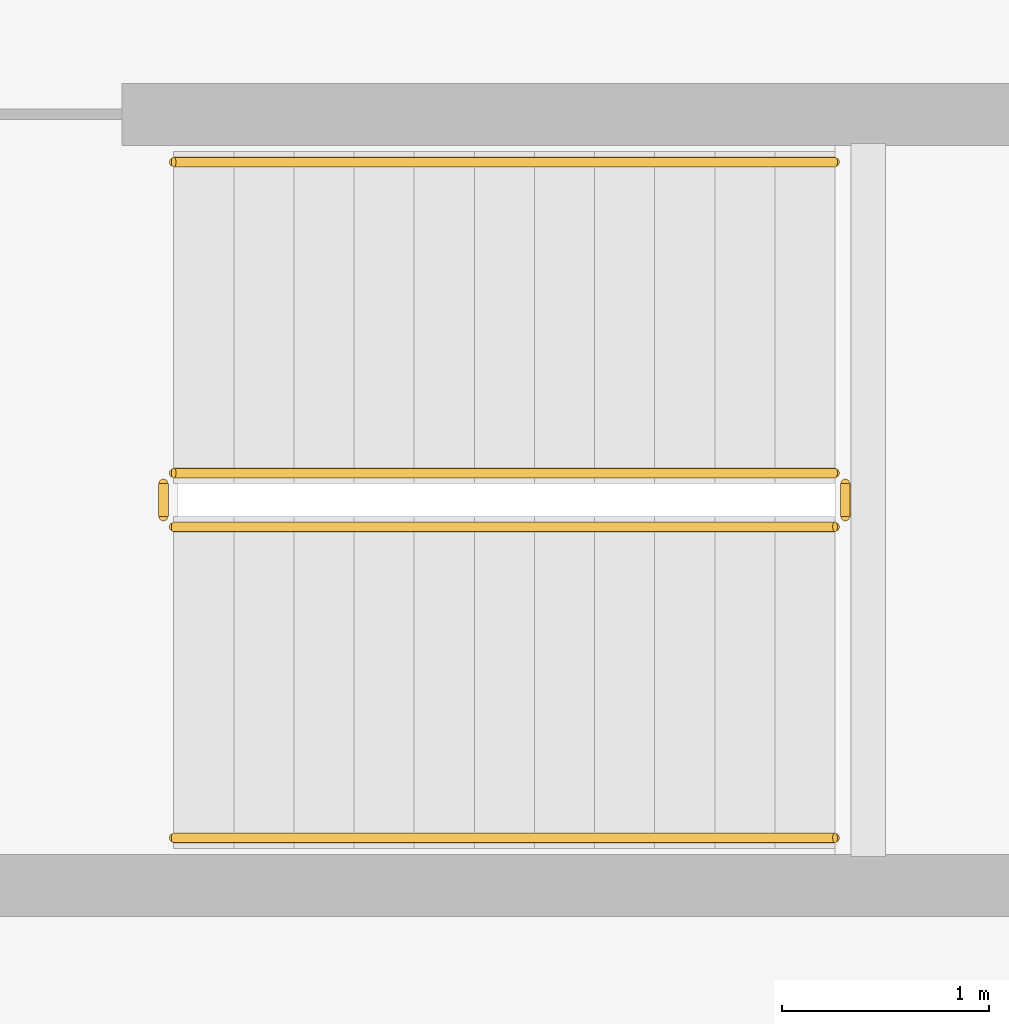
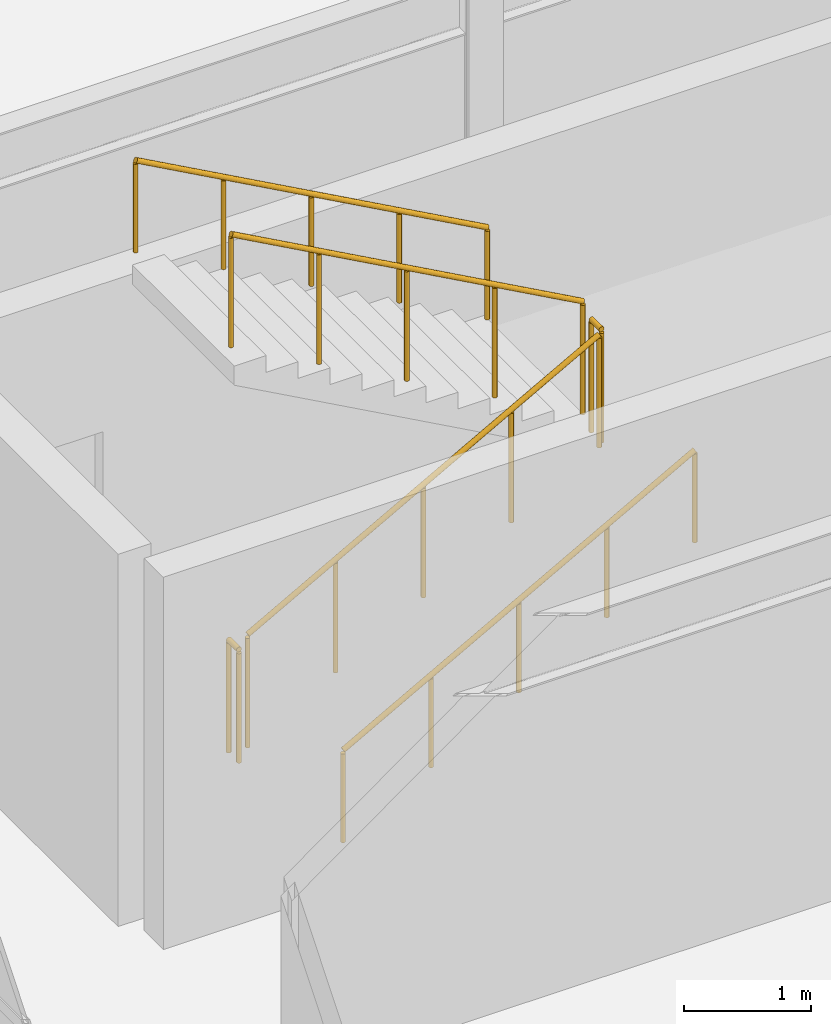
# One storey, part 95 of 96: 6 railings.
"""IFC4 building model written with IfcOpenShell, lengths in metres."""

from ifc_helpers import new_model, si_unit, direction, frame, origin, origin_2d, place, context, subcontext, project, spatial, circle, extrude, material, type_object, element, save


model = new_model("IFC4")

# Units and contexts
model_context = context("Model", 3, precision=1e-05, world=origin(), true_north=direction((0.0, 1.0)))
body_context = subcontext(model_context, "Body", "Model", "MODEL_VIEW")
ifc_project = project(units=[si_unit("LENGTHUNIT", "METRE"), si_unit("AREAUNIT", "SQUARE_METRE"), si_unit("VOLUMEUNIT", "CUBIC_METRE"), si_unit("PLANEANGLEUNIT", "RADIAN"), si_unit("MASSUNIT", "GRAM", prefix="KILO")], contexts=[model_context])

# Site, building, storey
site_placement = place(None, origin())
site = spatial("IfcSite", under=ifc_project, at=site_placement, CompositionType="ELEMENT")
building_placement = place(site_placement, origin())
building = spatial("IfcBuilding", under=site, at=building_placement, Name="Kranzveld Transit Interchange", CompositionType="ELEMENT")
storey_placement = place(building_placement, frame((0.0, 0.0, 9.52001953125)))
storey = spatial("IfcBuildingStorey", under=building, at=storey_placement, Name="L02", CompositionType="ELEMENT", Elevation=9.52001953125)

# Railings
ifc_material_1 = material(Name="Steel S355JR", Category="steel")
railing_type_1 = type_object("IfcRailingType", Name="Stair & Ramp Handrail Steel 900", PredefinedType="HANDRAIL", material=ifc_material_1)
railing_1_placement = place(storey_placement, frame((155.14990234375, 74.3701171875, 0.159912109375)))
element("IfcRailing", 1, at=railing_1_placement, inside=storey, type_object=railing_type_1, Name="L02 ST-V4B stair handrail 1", PredefinedType="HANDRAIL", context=body_context, shape_type="SweptSolid", body=[
    extrude(circle(Radius=0.02392578125, at=origin_2d()), frame((0.0, 0.0, 0.8759765625), z_axis=(0.875588434347, 0.0, 0.483057857443), x_axis=(0.0, 1.0, 0.0)), (0.0, 0.0, 1.0), 3.6435546875),
    extrude(circle(Radius=0.02099609375, at=origin_2d()), origin(), (0.0, 0.0, 1.0), 0.849853515625),
    extrude(circle(Radius=0.02099609375, at=origin_2d()), frame((0.797607421875, 0.0, 0.43994140625)), (0.0, 0.0, 1.0), 0.849853515625),
    extrude(circle(Radius=0.02099609375, at=origin_2d()), frame((1.59521484375, 0.0, 0.8798828125)), (0.0, 0.0, 1.0), 0.849853515625),
    extrude(circle(Radius=0.02099609375, at=origin_2d()), frame((2.392578125, 0.0, 1.320068359375)), (0.0, 0.0, 1.0), 0.849853515625),
    extrude(circle(Radius=0.02099609375, at=origin_2d()), frame((3.190185546875, 0.0, 1.760009765625)), (0.0, 0.0, 1.0), 0.849853515625),
])
railing_2_placement = place(storey_placement, frame((158.340087890625, 77.6298828125, 2.080078125)))
element("IfcRailing", 2, at=railing_2_placement, inside=storey, type_object=railing_type_1, Name="L02 ST-V4B stair handrail 2", PredefinedType="HANDRAIL", context=body_context, shape_type="SweptSolid", body=[
    extrude(circle(Radius=0.02392578125, at=origin_2d()), frame((0.0, 0.0, 0.8759765625), z_axis=(-0.875588434347, 0.0, 0.483057857443), x_axis=(0.0, -1.0, 0.0)), (0.0, 0.0, 1.0), 3.6435546875),
    extrude(circle(Radius=0.02099609375, at=origin_2d()), origin(), (0.0, 0.0, 1.0), 0.849853515625),
    extrude(circle(Radius=0.02099609375, at=origin_2d()), frame((-0.797607421875, 0.0, 0.43994140625)), (0.0, 0.0, 1.0), 0.849853515625),
    extrude(circle(Radius=0.02099609375, at=origin_2d()), frame((-1.59521484375, 0.0, 0.8798828125)), (0.0, 0.0, 1.0), 0.849853515625),
    extrude(circle(Radius=0.02099609375, at=origin_2d()), frame((-2.392578125, 0.0, 1.320068359375)), (0.0, 0.0, 1.0), 0.849853515625),
    extrude(circle(Radius=0.02099609375, at=origin_2d()), frame((-3.190185546875, 0.0, 1.760009765625)), (0.0, 0.0, 1.0), 0.849853515625),
])
ifc_material_2 = material(Name="Steel S355JR", Category="steel")
railing_type_2 = type_object("IfcRailingType", Name="Stair Well Guardrail Steel 1100", PredefinedType="GUARDRAIL", material=ifc_material_2)
railing_3_placement = place(storey_placement, frame((155.14990234375, 75.8701171875, 0.159912109375)))
element("IfcRailing", 3, at=railing_3_placement, inside=storey, type_object=railing_type_2, Name="L02 ST-V4B stair guard 1", PredefinedType="GUARDRAIL", context=body_context, shape_type="SweptSolid", body=[
    extrude(circle(Radius=0.02392578125, at=origin_2d()), frame((0.0, 0.0, 1.076171875), z_axis=(0.875588434347, 0.0, 0.483057857443), x_axis=(0.0, 1.0, 0.0)), (0.0, 0.0, 1.0), 3.6435546875),
    extrude(circle(Radius=0.02099609375, at=origin_2d()), origin(), (0.0, 0.0, 1.0), 1.050048828125),
    extrude(circle(Radius=0.02099609375, at=origin_2d()), frame((0.797607421875, 0.0, 0.43994140625)), (0.0, 0.0, 1.0), 1.050048828125),
    extrude(circle(Radius=0.02099609375, at=origin_2d()), frame((1.59521484375, 0.0, 0.8798828125)), (0.0, 0.0, 1.0), 1.050048828125),
    extrude(circle(Radius=0.02099609375, at=origin_2d()), frame((2.392578125, 0.0, 1.320068359375)), (0.0, 0.0, 1.0), 1.050048828125),
    extrude(circle(Radius=0.02099609375, at=origin_2d()), frame((3.190185546875, 0.0, 1.760009765625)), (0.0, 0.0, 1.0), 1.050048828125),
])
railing_4_placement = place(storey_placement, frame((158.389892578125, 75.919921875, 1.919921875)))
element("IfcRailing", 4, at=railing_4_placement, inside=storey, type_object=railing_type_2, Name="L02 ST-V4B stair guard 2", PredefinedType="GUARDRAIL", context=body_context, shape_type="SweptSolid", body=[
    extrude(circle(Radius=0.02392578125, at=origin_2d()), frame((0.0, 0.0, 1.076171875), z_axis=(0.0, 1.0, 0.0), x_axis=(-1.0, 0.0, 0.0)), (0.0, 0.0, 1.0), 0.16015625),
    extrude(circle(Radius=0.02099609375, at=origin_2d()), origin(), (0.0, 0.0, 1.0), 1.050048828125),
    extrude(circle(Radius=0.02099609375, at=origin_2d()), frame((0.0, 0.16015625, 0.0)), (0.0, 0.0, 1.0), 1.050048828125),
])
railing_5_placement = place(storey_placement, frame((158.340087890625, 76.1298828125, 2.080078125)))
element("IfcRailing", 5, at=railing_5_placement, inside=storey, type_object=railing_type_2, Name="L02 ST-V4B stair guard 3", PredefinedType="GUARDRAIL", context=body_context, shape_type="SweptSolid", body=[
    extrude(circle(Radius=0.02392578125, at=origin_2d()), frame((0.0, 0.0, 1.076171875), z_axis=(-0.875588434347, 0.0, 0.483057857443), x_axis=(0.0, -1.0, 0.0)), (0.0, 0.0, 1.0), 3.6435546875),
    extrude(circle(Radius=0.02099609375, at=origin_2d()), origin(), (0.0, 0.0, 1.0), 1.050048828125),
    extrude(circle(Radius=0.02099609375, at=origin_2d()), frame((-0.797607421875, 0.0, 0.43994140625)), (0.0, 0.0, 1.0), 1.050048828125),
    extrude(circle(Radius=0.02099609375, at=origin_2d()), frame((-1.59521484375, 0.0, 0.8798828125)), (0.0, 0.0, 1.0), 1.050048828125),
    extrude(circle(Radius=0.02099609375, at=origin_2d()), frame((-2.392578125, 0.0, 1.320068359375)), (0.0, 0.0, 1.0), 1.050048828125),
    extrude(circle(Radius=0.02099609375, at=origin_2d()), frame((-3.190185546875, 0.0, 1.760009765625)), (0.0, 0.0, 1.0), 1.050048828125),
])
railing_6_placement = place(storey_placement, frame((155.10009765625, 75.919921875, 0.0)))
element("IfcRailing", 6, at=railing_6_placement, inside=storey, type_object=railing_type_2, Name="L02 ST-V4B stair guard 4", PredefinedType="GUARDRAIL", context=body_context, shape_type="SweptSolid", body=[
    extrude(circle(Radius=0.02392578125, at=origin_2d()), frame((0.0, 0.0, 1.076171875), z_axis=(0.0, 1.0, 0.0), x_axis=(-1.0, 0.0, 0.0)), (0.0, 0.0, 1.0), 0.16015625),
    extrude(circle(Radius=0.02099609375, at=origin_2d()), origin(), (0.0, 0.0, 1.0), 1.050048828125),
    extrude(circle(Radius=0.02099609375, at=origin_2d()), frame((0.0, 0.16015625, 0.0)), (0.0, 0.0, 1.0), 1.050048828125),
])

save(model, "model.ifc")
